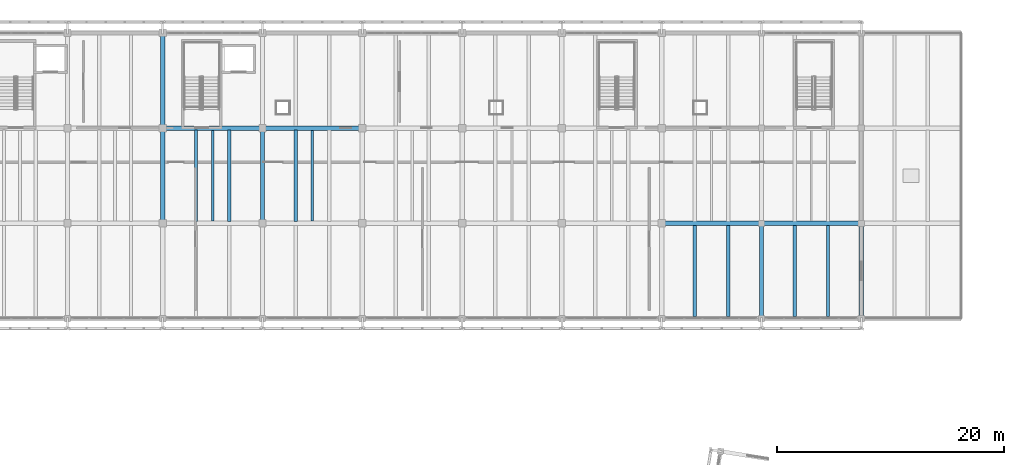
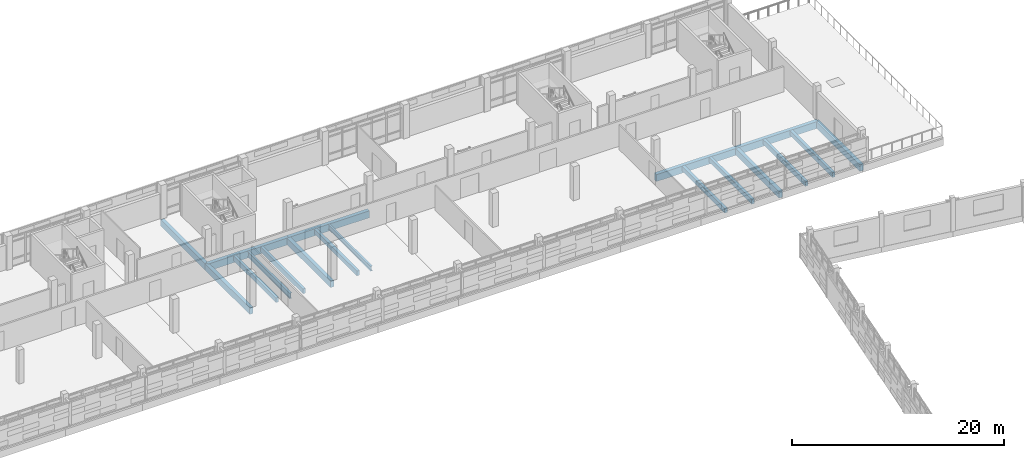
# One storey, part 62 of 117: 18 beams.
"""IFC4 building model written with IfcOpenShell, lengths in metres."""

from ifc_helpers import new_model, si_unit, direction, frame, origin, origin_2d, place, context, subcontext, project, spatial, rectangle, i_section, extrude, material, material_profile, profile_set, type_object, element, save


model = new_model("IFC4")

# Units and contexts
model_context = context("Model", 3, precision=1e-05, world=origin(), true_north=direction((0.0, 1.0)))
body_context = subcontext(model_context, "Body", "Model", "MODEL_VIEW")
ifc_project = project(units=[si_unit("LENGTHUNIT", "METRE"), si_unit("AREAUNIT", "SQUARE_METRE"), si_unit("VOLUMEUNIT", "CUBIC_METRE"), si_unit("PLANEANGLEUNIT", "RADIAN"), si_unit("MASSUNIT", "GRAM", prefix="KILO")], contexts=[model_context])

# Site, building, storey
site_placement = place(None, origin())
site = spatial("IfcSite", under=ifc_project, at=site_placement, CompositionType="ELEMENT")
building_placement = place(site_placement, origin())
building = spatial("IfcBuilding", under=site, at=building_placement, Name="Cinderway Yard Community Centre", CompositionType="ELEMENT")
storey_placement = place(building_placement, frame((0.0, 0.0, 9.0)))
storey = spatial("IfcBuildingStorey", under=building, at=storey_placement, Name="L02", CompositionType="ELEMENT", Elevation=9.0)

# Beams
ifc_material_1 = material(Name="Concrete C35/45", Category="concrete")
ifc_material_profile_1 = material_profile(ifc_material_1, rectangle(XDim=0.300048828125, YDim=0.550048828125, at=origin_2d()), Name="Concrete C35/45")
ifc_profile_set_1 = profile_set([ifc_material_profile_1], Name="Concrete C35/45")
beam_type_1 = type_object("IfcBeamType", Name="STR-BM-RC300X550", PredefinedType="JOIST", material=ifc_profile_set_1)
for number, where, z_axis, x_axis, name in (
    (1, (78.133056640625, 98.58203125, -0.514892578125), (0.0, 1.0, 0.0), (-1.0, 0.0, 0.0), "Secondary joist STR-BM-L02-BJ03-0607"),
    (2, (81.06689453125, 98.58203125, -0.514892578125), (0.0, 1.0, 0.0), (-1.0, 0.0, 0.0), "Secondary joist STR-BM-L02-BJ03-0608"),
    (3, (86.93310546875, 98.58203125, -0.514892578125), (0.0, 1.0, 0.0), (-1.0, 0.0, 0.0), "Secondary joist STR-BM-L02-BJ03-0611"),
):
    element("IfcBeam", number, at=place(storey_placement, frame(where, z_axis=z_axis, x_axis=x_axis)), inside=storey, type_object=beam_type_1, Name=name, PredefinedType="JOIST", context=body_context, shape_type="SweptSolid", body=[
        extrude(rectangle(XDim=0.300048828125, YDim=0.550048828125, at=origin_2d()), origin(), (0.0, 0.0, 1.0), 8.035888671875),
    ])
for number, where, z_axis, x_axis, name in (
    (4, (122.133056640625, 90.181884765625, -0.514892578125), (0.0, 1.0, 0.0), (-1.0, 0.0, 0.0), "Secondary joist STR-BM-L02-BJ03-0632"),
    (5, (125.06689453125, 90.181884765625, -0.514892578125), (0.0, 1.0, 0.0), (-1.0, 0.0, 0.0), "Secondary joist STR-BM-L02-BJ03-0633"),
    (6, (130.93310546875, 90.181884765625, -0.514892578125), (0.0, 1.0, 0.0), (-1.0, 0.0, 0.0), "Secondary joist STR-BM-L02-BJ03-0638"),
    (7, (133.866943359375, 90.181884765625, -0.514892578125), (0.0, 1.0, 0.0), (-1.0, 0.0, 0.0), "Secondary joist STR-BM-L02-BJ03-0639"),
):
    element("IfcBeam", number, at=place(storey_placement, frame(where, z_axis=z_axis, x_axis=x_axis)), inside=storey, type_object=beam_type_1, Name=name, PredefinedType="JOIST", context=body_context, shape_type="SweptSolid", body=[
        extrude(rectangle(XDim=0.300048828125, YDim=0.550048828125, at=origin_2d()), origin(), (0.0, 0.0, 1.0), 8.0361328125),
    ])
ifc_material_profile_2 = material_profile(ifc_material_1, rectangle(XDim=0.3798828125, YDim=0.75, at=origin_2d()), Name="Concrete C35/45")
ifc_profile_set_2 = profile_set([ifc_material_profile_2], Name="Concrete C35/45")
beam_type_2 = type_object("IfcBeamType", Name="STR-BM-RC380X750", PredefinedType="BEAM", material=ifc_profile_set_2)
beam_1_placement = place(storey_placement, frame((75.199951171875, 98.39990234375, -0.614990234375), z_axis=(0.0, 1.0, 0.0), x_axis=(-1.0, 0.0, 0.0)))
element("IfcBeam", 8, at=beam_1_placement, inside=storey, type_object=beam_type_2, Name="Transverse girder STR-BM-L02-BG06-0557", PredefinedType="BEAM", context=body_context, shape_type="SweptSolid", body=[
    extrude(rectangle(XDim=0.3798828125, YDim=0.75, at=origin_2d()), origin(), (0.0, 0.0, 1.0), 8.400146484375),
])
beam_2_placement = place(storey_placement, frame((75.199951171875, 106.800048828125, -0.614990234375), z_axis=(0.0, 1.0, 0.0), x_axis=(-1.0, 0.0, 0.0)))
element("IfcBeam", 9, at=beam_2_placement, inside=storey, type_object=beam_type_2, Name="Transverse girder STR-BM-L02-BG06-0558", PredefinedType="BEAM", context=body_context, shape_type="SweptSolid", body=[
    extrude(rectangle(XDim=0.3798828125, YDim=0.75, at=origin_2d()), origin(), (0.0, 0.0, 1.0), 8.39990234375),
])
beam_3_placement = place(storey_placement, frame((84.0, 98.39990234375, -0.614990234375), z_axis=(0.0, 1.0, 0.0), x_axis=(-1.0, 0.0, 0.0)))
element("IfcBeam", 10, at=beam_3_placement, inside=storey, type_object=beam_type_2, Name="Transverse girder STR-BM-L02-BG06-0560", PredefinedType="BEAM", context=body_context, shape_type="SweptSolid", body=[
    extrude(rectangle(XDim=0.3798828125, YDim=0.75, at=origin_2d()), origin(), (0.0, 0.0, 1.0), 8.400146484375),
])
for number, where, z_axis, x_axis, name in (
    (11, (128.0, 90.0, -0.614990234375), (0.0, 1.0, 0.0), (-1.0, 0.0, 0.0), "Transverse girder STR-BM-L02-BG06-0574"),
    (12, (136.800048828125, 90.0, -0.614990234375), (0.0, 1.0, 0.0), (-1.0, 0.0, 0.0), "Transverse girder STR-BM-L02-BG06-0577"),
):
    element("IfcBeam", number, at=place(storey_placement, frame(where, z_axis=z_axis, x_axis=x_axis)), inside=storey, type_object=beam_type_2, Name=name, PredefinedType="BEAM", context=body_context, shape_type="SweptSolid", body=[
        extrude(rectangle(XDim=0.3798828125, YDim=0.75, at=origin_2d()), origin(), (0.0, 0.0, 1.0), 8.39990234375),
    ])
ifc_material_2 = material(Name="Concrete C40/50", Category="concrete")
ifc_material_profile_3 = material_profile(ifc_material_2, rectangle(XDim=0.39990234375, YDim=0.800048828125, at=origin_2d()), Name="Concrete C40/50")
ifc_profile_set_3 = profile_set([ifc_material_profile_3], Name="Concrete C40/50")
beam_type_3 = type_object("IfcBeamType", Name="STR-BM-RC400X800", PredefinedType="BEAM", material=ifc_profile_set_3)
for number, where, z_axis, x_axis, name in (
    (13, (119.199951171875, 98.39990234375, -0.639892578125), (1.0, 0.0, 0.0), (0.0, 1.0, 0.0), "Primary girder STR-BM-L02-BG05-0517"),
    (14, (128.0, 98.39990234375, -0.639892578125), (1.0, 0.0, 0.0), (0.0, 1.0, 0.0), "Primary girder STR-BM-L02-BG05-0518"),
    (15, (75.199951171875, 106.800048828125, -0.639892578125), (1.0, 0.0, 0.0), (0.0, 1.0, 0.0), "Primary girder STR-BM-L02-BG05-0524"),
    (16, (84.0, 106.800048828125, -0.639892578125), (1.0, 0.0, 0.0), (0.0, 1.0, 0.0), "Primary girder STR-BM-L02-BG05-0525"),
):
    element("IfcBeam", number, at=place(storey_placement, frame(where, z_axis=z_axis, x_axis=x_axis)), inside=storey, type_object=beam_type_3, Name=name, PredefinedType="BEAM", context=body_context, shape_type="SweptSolid", body=[
        extrude(rectangle(XDim=0.39990234375, YDim=0.800048828125, at=origin_2d()), origin(), (0.0, 0.0, 1.0), 8.800048828125),
    ])
ifc_material_3 = material(Name="Steel S355", Category="steel")
ifc_material_profile_4 = material_profile(ifc_material_3, i_section(OverallWidth=0.2119140625, OverallDepth=0.549072265625, WebThickness=0.01318359375, FlangeThickness=0.021240234375, FilletRadius=0.013916015625, at=origin_2d()), Name="Steel S355")
ifc_profile_set_4 = profile_set([ifc_material_profile_4], Name="Steel S355")
beam_type_4 = type_object("IfcBeamType", Name="STR-BM-W530X138", PredefinedType="BEAM", material=ifc_profile_set_4)
beam_4_placement = place(storey_placement, frame((88.39990234375, 98.60009765625, -0.513916015625), z_axis=(0.0, 1.0, 0.0), x_axis=(-1.0, 0.0, 0.0)))
element("IfcBeam", 17, at=beam_4_placement, inside=storey, type_object=beam_type_4, Name="Mid-bay secondary beam STR-BM-L02-SB08-1179", PredefinedType="BEAM", context=body_context, shape_type="SweptSolid", body=[
    extrude(i_section(OverallWidth=0.2119140625, OverallDepth=0.549072265625, WebThickness=0.01318359375, FlangeThickness=0.021240234375, FilletRadius=0.013916015625, at=origin_2d()), origin(), (0.0, 0.0, 1.0), 8.0),
])
ifc_material_profile_5 = material_profile(ifc_material_3, i_section(OverallWidth=0.22900390625, OverallDepth=0.6220703125, WebThickness=0.013916015625, FlangeThickness=0.02392578125, FilletRadius=0.01611328125, at=origin_2d()), Name="Steel S355")
ifc_profile_set_5 = profile_set([ifc_material_profile_5], Name="Steel S355")
beam_type_5 = type_object("IfcBeamType", Name="STR-BM-W610X174", PredefinedType="BEAM", material=ifc_profile_set_5)
beam_5_placement = place(storey_placement, frame((79.60009765625, 98.60009765625, -0.551025390625), z_axis=(0.0, 1.0, 0.0), x_axis=(-1.0, 0.0, 0.0)))
element("IfcBeam", 18, at=beam_5_placement, inside=storey, type_object=beam_type_5, Name="Mid-bay secondary beam STR-BM-L02-SB07-1178", PredefinedType="BEAM", context=body_context, shape_type="SweptSolid", body=[
    extrude(i_section(OverallWidth=0.22900390625, OverallDepth=0.6220703125, WebThickness=0.013916015625, FlangeThickness=0.02392578125, FilletRadius=0.01611328125, at=origin_2d()), origin(), (0.0, 0.0, 1.0), 8.0),
])

save(model, "model.ifc")
